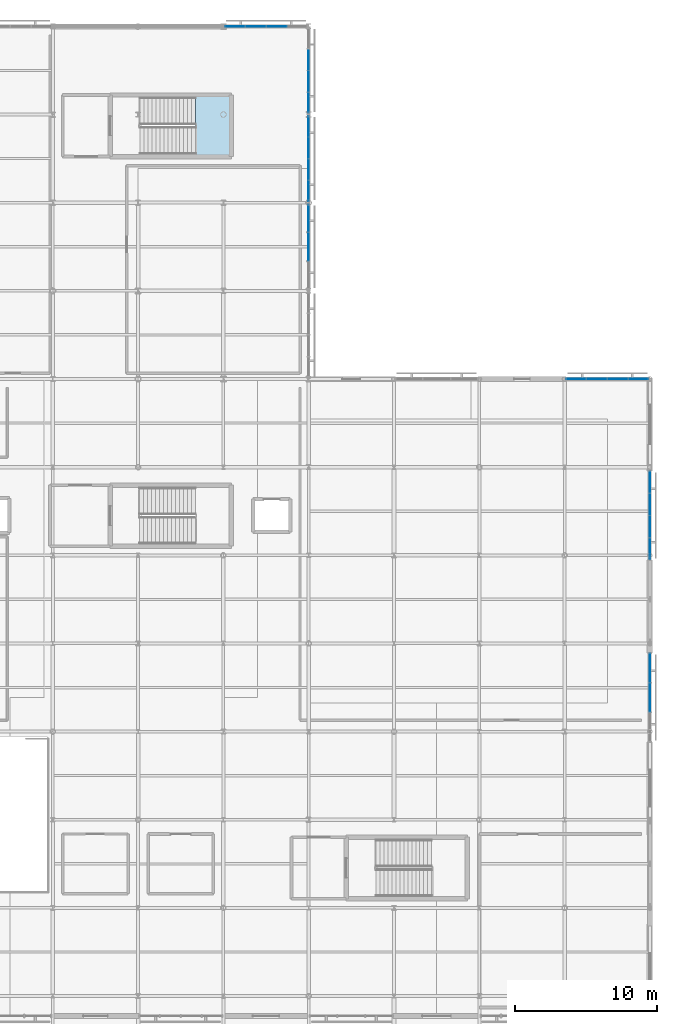
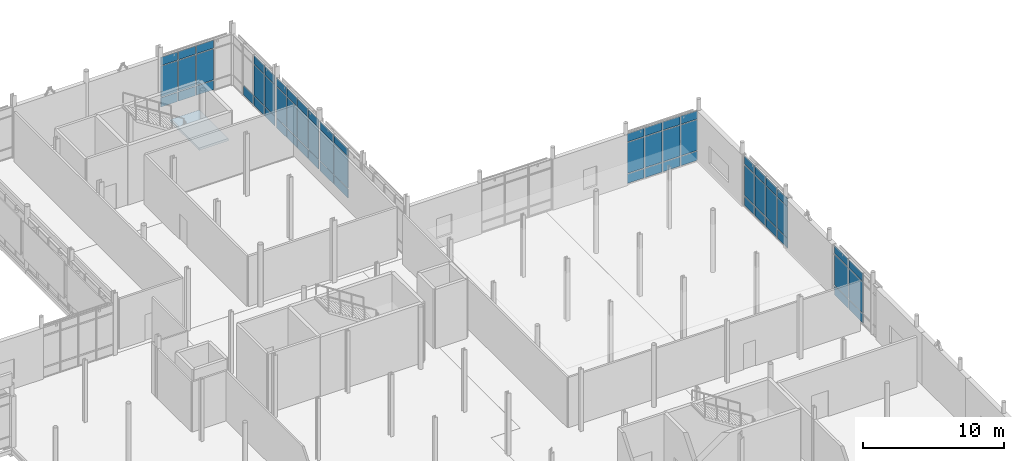
# One storey, part 64 of 105: 64 plates, 1 slab, 8 elements without a shape of their own.
"""IFC4 building model written with IfcOpenShell, lengths in metres."""

import ifcopenshell
import ifcopenshell.guid

model = None  # the IFC model being written
_history = None  # IfcOwnerHistory: only IFC2X3 demands one
_inside = {}  # id of a spatial element -> (the spatial element, [elements in it])
_under = {}  # id of a project, library or spatial element -> (it, [spatial elements below it])
_declared = {}  # id of a project -> (the project, [libraries it declares])
_typed = {}  # id of a type object -> (the type object, [elements of that type])
_made_of = {}  # id of a material, layer set ... -> (it, [elements and type objects made of it])


def new_model(schema):
    """Start an empty IFC model of exactly this schema.

    Asked for "IFC4X3", IfcOpenShell would pick the latest addendum, in which some entities
    have other attributes; the version numbers below select the first issue.
    IFC2X3 requires an IfcOwnerHistory on every rooted entity: one is made here for all.
    """
    global model, _history
    if schema == "IFC4X3":
        model = ifcopenshell.file(schema_version=(4, 3, 0, 0))
    else:
        model = ifcopenshell.file(schema=schema)
    _inside.clear()
    _under.clear()
    _declared.clear()
    _typed.clear()
    _made_of.clear()
    _history = None
    if model.schema == "IFC2X3":
        org = make("IfcOrganization", Name="unknown")
        user = make(
            "IfcPersonAndOrganization",
            ThePerson=make("IfcPerson", FamilyName="unknown"),
            TheOrganization=org,
        )
        app = make(
            "IfcApplication",
            ApplicationDeveloper=org,
            Version="unknown",
            ApplicationFullName="unknown",
            ApplicationIdentifier="unknown",
        )
        _history = make(
            "IfcOwnerHistory",
            OwningUser=user,
            OwningApplication=app,
            ChangeAction="ADDED",
            CreationDate=0,
        )
    return model


def make(cls, **values):
    """One entity of the class cls with the attributes given. An attribute that is None is left unset."""
    return model.create_entity(
        cls, **{name: value for name, value in values.items() if value is not None}
    )


def rooted(cls, **values):
    """An entity with a GlobalId (a new one), such as an element, a storey or a relation."""
    return make(cls, GlobalId=ifcopenshell.guid.new(), OwnerHistory=_history, **values)


def si_unit(unit_type, name, prefix=None):
    """IfcSIUnit, for example si_unit("LENGTHUNIT", "METRE", prefix="MILLI")."""
    return make("IfcSIUnit", UnitType=unit_type, Prefix=prefix, Name=name)


def assignment(units):
    """IfcUnitAssignment: the units of a project."""
    return None if units is None else make("IfcUnitAssignment", Units=units)


def point(xyz):
    """IfcCartesianPoint."""
    return None if xyz is None else make("IfcCartesianPoint", Coordinates=xyz)


def direction(xyz):
    """IfcDirection."""
    return None if xyz is None else make("IfcDirection", DirectionRatios=xyz)


def frame(location, z_axis=None, x_axis=None):
    """IfcAxis2Placement3D, a coordinate frame: its origin and axes. An axis left out is left unset."""
    return make(
        "IfcAxis2Placement3D",
        Location=point(location),
        Axis=direction(z_axis),
        RefDirection=direction(x_axis),
    )


def frame_2d(location, x_axis=None):
    """IfcAxis2Placement2D, a coordinate frame in the plane: its origin and x axis."""
    return make(
        "IfcAxis2Placement2D", Location=point(location), RefDirection=direction(x_axis)
    )


def origin():
    """The frame at (0, 0, 0) with its axes left unset."""
    return frame((0.0, 0.0, 0.0))


def origin_2d():
    """The frame at (0, 0) in the plane with its x axis left unset."""
    return frame_2d((0.0, 0.0))


def place(relative_to, where):
    """IfcLocalPlacement: puts the frame where relative to a parent placement (None: the world)."""
    return make(
        "IfcLocalPlacement", PlacementRelTo=relative_to, RelativePlacement=where
    )


def context(
    kind, dimensions, precision=None, world=None, true_north=None, identifier=None
):
    """IfcGeometricRepresentationContext, for example the 3D "Model" context."""
    return make(
        "IfcGeometricRepresentationContext",
        ContextIdentifier=identifier,
        ContextType=kind,
        CoordinateSpaceDimension=dimensions,
        Precision=precision,
        WorldCoordinateSystem=world,
        TrueNorth=true_north,
    )


def subcontext(parent, identifier, kind, view, scale=None):
    """IfcGeometricRepresentationSubContext, for example "Body" below "Model"."""
    return make(
        "IfcGeometricRepresentationSubContext",
        ContextIdentifier=identifier,
        ContextType=kind,
        ParentContext=parent,
        TargetScale=scale,
        TargetView=view,
    )


def project(units=None, contexts=None):
    """IfcProject with its units and contexts."""
    return rooted(
        "IfcProject",
        Name="project",
        RepresentationContexts=contexts,
        UnitsInContext=assignment(units),
    )


def spatial(cls, under=None, at=None, **own):
    """A site, building, storey or space (cls), placed at a placement, below another one or the project."""
    s = rooted(cls, ObjectPlacement=at, **own)
    if under is not None:
        _under.setdefault(under.id(), (under, []))[1].append(s)
    return s


def polyline(points):
    """IfcPolyline through the points."""
    return make("IfcPolyline", Points=[point(p) for p in points])


def profile(cls, at=None, kind="AREA", **sizes):
    """A parametric profile (cls). Its sizes go by their IFC names, for example OverallWidth=200.0."""
    return make(cls, ProfileType=kind, Position=at, **sizes)


def rectangle(**sizes):
    """IfcRectangleProfileDef."""
    return profile("IfcRectangleProfileDef", **sizes)


def outline(outer, holes=None, kind="AREA"):
    """IfcArbitraryClosedProfileDef: a profile drawn as a closed curve; with holes, ...WithVoids."""
    if holes is None:
        return make("IfcArbitraryClosedProfileDef", ProfileType=kind, OuterCurve=outer)
    return make(
        "IfcArbitraryProfileDefWithVoids",
        ProfileType=kind,
        OuterCurve=outer,
        InnerCurves=holes,
    )


def extrude(swept, where, along, depth):
    """IfcExtrudedAreaSolid: the profile swept, set in the frame where, extruded along a direction by depth."""
    return make(
        "IfcExtrudedAreaSolid",
        SweptArea=swept,
        Position=where,
        ExtrudedDirection=direction(along),
        Depth=depth,
    )


def shape(context_of_items, identifier, shape_type, items):
    """IfcShapeRepresentation: the items that make up one representation, for example the "Body"."""
    return make(
        "IfcShapeRepresentation",
        ContextOfItems=context_of_items,
        RepresentationIdentifier=identifier,
        RepresentationType=shape_type,
        Items=items,
    )


def material(Name=None, Category=None):
    """IfcMaterial."""
    return make("IfcMaterial", Name=Name, Category=Category)


def layer(
    of_material, thickness, ventilated=None, Name=None, Category=None, Priority=None
):
    """IfcMaterialLayer: one layer of a wall or slab, of a material (None: an air gap)."""
    return make(
        "IfcMaterialLayer",
        Material=of_material,
        LayerThickness=thickness,
        IsVentilated=ventilated,
        Name=Name,
        Category=Category,
        Priority=Priority,
    )


def layer_set(layers, Name=None):
    """IfcMaterialLayerSet."""
    return make("IfcMaterialLayerSet", MaterialLayers=layers, LayerSetName=Name)


def made_of(thing, what):
    """Note that an element or type object is made of a material, layer set ...; save() writes the relation."""
    if what is not None:
        _made_of.setdefault(what.id(), (what, []))[1].append(thing)
    return thing


def type_object(cls, material=None, **own):
    """A type object (cls), such as IfcWallType, which elements share."""
    return made_of(rooted(cls, **own), material)


def element(
    cls,
    number,
    at=None,
    inside=None,
    cuts=None,
    type_object=None,
    material=None,
    context=None,
    identifier="Body",
    shape_type=None,
    held_by="IfcProductDefinitionShape",
    body=None,
    shapes=None,
    **own,
):
    """One element of the class cls, such as IfcWall. Its Tag is "e" and its number.

    at: its placement. inside: the storey or other place that contains it. cuts: it is an
    opening in that element (IfcRelVoidsElement). A single representation is given by context,
    identifier, shape_type and body (its items); several are given by shapes. held_by: the class
    of the entity that holds the representations. save() writes the other relations.
    """
    e = rooted(cls, Tag="e%d" % number, ObjectPlacement=at, **own)
    if body is not None:
        shapes = [shape(context, identifier, shape_type, body)]
    if shapes is not None:
        e.Representation = make(held_by, Representations=shapes)
    if inside is not None:
        _inside.setdefault(inside.id(), (inside, []))[1].append(e)
    if cuts is not None:
        rooted(
            "IfcRelVoidsElement", RelatingBuildingElement=cuts, RelatedOpeningElement=e
        )
    if type_object is not None:
        _typed.setdefault(type_object.id(), (type_object, []))[1].append(e)
    return made_of(e, material)


def aggregate(whole, parts):
    """IfcRelAggregates: a whole, such as a stair, and the parts it consists of."""
    return rooted("IfcRelAggregates", RelatingObject=whole, RelatedObjects=parts)


def save(model, path):
    """Write the relations noted so far, then the file.

    IfcRelAggregates (storeys below a building ...), IfcRelContainedInSpatialStructure (elements
    in a storey), IfcRelDefinesByType, IfcRelAssociatesMaterial and IfcRelDeclares: one each for
    every whole, place, type object, material and project.
    """
    for whole, parts in _under.values():
        aggregate(whole, parts)
    for where, things in _inside.values():
        rooted(
            "IfcRelContainedInSpatialStructure",
            RelatedElements=things,
            RelatingStructure=where,
        )
    for kind, things in _typed.values():
        rooted("IfcRelDefinesByType", RelatedObjects=things, RelatingType=kind)
    for what, things in _made_of.values():
        rooted("IfcRelAssociatesMaterial", RelatedObjects=things, RelatingMaterial=what)
    for by, libraries in _declared.values():
        rooted("IfcRelDeclares", RelatingContext=by, RelatedDefinitions=libraries)
    model.write(path)


model = new_model("IFC4")

# Units and contexts
model_context = context("Model", 3, precision=1e-05, world=origin(), true_north=direction((0.0, 1.0)))
body_context = subcontext(model_context, "Body", "Model", "MODEL_VIEW")
ifc_project = project(units=[si_unit("LENGTHUNIT", "METRE"), si_unit("AREAUNIT", "SQUARE_METRE"), si_unit("VOLUMEUNIT", "CUBIC_METRE"), si_unit("PLANEANGLEUNIT", "RADIAN"), si_unit("MASSUNIT", "GRAM", prefix="KILO")], contexts=[model_context])

# Site, building, storey
site_placement = place(None, origin())
site = spatial("IfcSite", under=ifc_project, at=site_placement, CompositionType="ELEMENT")
building_placement = place(site_placement, origin())
building = spatial("IfcBuilding", under=site, at=building_placement, Name="Mirzam Square Science Centre", CompositionType="ELEMENT")
storey_placement = place(building_placement, frame((0.0, 0.0, 5.39990234375)))
storey = spatial("IfcBuildingStorey", under=building, at=storey_placement, Name="L01", CompositionType="ELEMENT", Elevation=5.39990234375)

# Curtain wall, plates
ifc_material_1 = material(Name="Anodised Aluminium and Low-E Solar Glass", Category="aluminium")
ifc_layer_1 = layer(ifc_material_1, 0.159912109375)
ifc_layer_set_1 = layer_set([ifc_layer_1], Name="CW-COURT-B")
curtain_wall_type_1 = type_object("IfcCurtainWallType", Name="CW-COURT-B", PredefinedType="USERDEFINED", material=ifc_layer_set_1)
curtain_wall_1_placement = place(storey_placement, origin())
curtain_wall_1 = element("IfcCurtainWall", 1, at=curtain_wall_1_placement, inside=storey, type_object=curtain_wall_type_1, Name="L01 unitised curtain wall 87", ObjectType="UNITISED CURTAIN WALL", PredefinedType="USERDEFINED")
ifc_material_2 = material(Name="Ceramic-Fritted Courtyard Solar Glass", Category="glass")
ifc_layer_2 = layer(ifc_material_2, 0.02392578125)
ifc_layer_set_2 = layer_set([ifc_layer_2], Name="CWP-GLZ-24")
plate_type_1 = type_object("IfcPlateType", Name="CWP-GLZ-24", PredefinedType="CURTAIN_PANEL", material=ifc_layer_set_2)
plate_1_placement = place(storey_placement, frame((161.19384765625, 86.800048828125, 0.06005859375), z_axis=(0.0, 0.0, 1.0), x_axis=(-1.0, 0.0, 0.0)))
plate_1 = element("IfcPlate", 2, at=plate_1_placement, type_object=plate_type_1, Name="CW-04 panel 1.1", PredefinedType="CURTAIN_PANEL", context=body_context, shape_type="SweptSolid", body=[
    extrude(rectangle(XDim=1.382568359375, YDim=0.02392578125, at=origin_2d()), origin(), (0.0, 0.0, 1.0), 0.81005859375),
])
plate_2_placement = place(storey_placement, frame((161.19384765625, 86.800048828125, 0.93017578125), z_axis=(0.0, 0.0, 1.0), x_axis=(-1.0, 0.0, 0.0)))
plate_2 = element("IfcPlate", 3, at=plate_2_placement, type_object=plate_type_1, Name="CW-04 panel 1.2", PredefinedType="CURTAIN_PANEL", context=body_context, shape_type="SweptSolid", body=[
    extrude(rectangle(XDim=1.382568359375, YDim=0.02392578125, at=origin_2d()), origin(), (0.0, 0.0, 1.0), 2.679931640625),
])
plate_3_placement = place(storey_placement, frame((161.19384765625, 86.800048828125, 3.670166015625), z_axis=(0.0, 0.0, 1.0), x_axis=(-1.0, 0.0, 0.0)))
plate_3 = element("IfcPlate", 4, at=plate_3_placement, type_object=plate_type_1, Name="CW-04 panel 1.3", PredefinedType="CURTAIN_PANEL", context=body_context, shape_type="SweptSolid", body=[
    extrude(rectangle(XDim=1.382568359375, YDim=0.02392578125, at=origin_2d()), origin(), (0.0, 0.0, 1.0), 0.7099609375),
])
plate_4_placement = place(storey_placement, frame((159.736328125, 86.800048828125, 0.06005859375), z_axis=(0.0, 0.0, 1.0), x_axis=(-1.0, 0.0, 0.0)))
plate_4 = element("IfcPlate", 5, at=plate_4_placement, type_object=plate_type_1, Name="CW-04 panel 2.1", PredefinedType="CURTAIN_PANEL", context=body_context, shape_type="SweptSolid", body=[
    extrude(rectangle(XDim=1.41259765625, YDim=0.02392578125, at=origin_2d()), origin(), (0.0, 0.0, 1.0), 0.81005859375),
])
plate_5_placement = place(storey_placement, frame((159.736328125, 86.800048828125, 0.93017578125), z_axis=(0.0, 0.0, 1.0), x_axis=(-1.0, 0.0, 0.0)))
plate_5 = element("IfcPlate", 6, at=plate_5_placement, type_object=plate_type_1, Name="CW-04 panel 2.2", PredefinedType="CURTAIN_PANEL", context=body_context, shape_type="SweptSolid", body=[
    extrude(rectangle(XDim=1.41259765625, YDim=0.02392578125, at=origin_2d()), origin(), (0.0, 0.0, 1.0), 2.679931640625),
])
plate_6_placement = place(storey_placement, frame((159.736328125, 86.800048828125, 3.670166015625), z_axis=(0.0, 0.0, 1.0), x_axis=(-1.0, 0.0, 0.0)))
plate_6 = element("IfcPlate", 7, at=plate_6_placement, type_object=plate_type_1, Name="CW-04 panel 2.3", PredefinedType="CURTAIN_PANEL", context=body_context, shape_type="SweptSolid", body=[
    extrude(rectangle(XDim=1.41259765625, YDim=0.02392578125, at=origin_2d()), origin(), (0.0, 0.0, 1.0), 0.7099609375),
])
plate_7_placement = place(storey_placement, frame((158.263671875, 86.800048828125, 0.06005859375), z_axis=(0.0, 0.0, 1.0), x_axis=(-1.0, 0.0, 0.0)))
plate_7 = element("IfcPlate", 8, at=plate_7_placement, type_object=plate_type_1, Name="CW-04 panel 3.1", PredefinedType="CURTAIN_PANEL", context=body_context, shape_type="SweptSolid", body=[
    extrude(rectangle(XDim=1.41259765625, YDim=0.02392578125, at=origin_2d()), origin(), (0.0, 0.0, 1.0), 0.81005859375),
])
plate_8_placement = place(storey_placement, frame((158.263671875, 86.800048828125, 0.93017578125), z_axis=(0.0, 0.0, 1.0), x_axis=(-1.0, 0.0, 0.0)))
plate_8 = element("IfcPlate", 9, at=plate_8_placement, type_object=plate_type_1, Name="CW-04 panel 3.2", PredefinedType="CURTAIN_PANEL", context=body_context, shape_type="SweptSolid", body=[
    extrude(rectangle(XDim=1.41259765625, YDim=0.02392578125, at=origin_2d()), origin(), (0.0, 0.0, 1.0), 2.679931640625),
])
plate_9_placement = place(storey_placement, frame((158.263671875, 86.800048828125, 3.670166015625), z_axis=(0.0, 0.0, 1.0), x_axis=(-1.0, 0.0, 0.0)))
plate_9 = element("IfcPlate", 10, at=plate_9_placement, type_object=plate_type_1, Name="CW-04 panel 3.3", PredefinedType="CURTAIN_PANEL", context=body_context, shape_type="SweptSolid", body=[
    extrude(rectangle(XDim=1.41259765625, YDim=0.02392578125, at=origin_2d()), origin(), (0.0, 0.0, 1.0), 0.7099609375),
])
plate_10_placement = place(storey_placement, frame((156.80615234375, 86.800048828125, 0.06005859375), z_axis=(0.0, 0.0, 1.0), x_axis=(-1.0, 0.0, 0.0)))
plate_10 = element("IfcPlate", 11, at=plate_10_placement, type_object=plate_type_1, Name="CW-04 panel 4.1", PredefinedType="CURTAIN_PANEL", context=body_context, shape_type="SweptSolid", body=[
    extrude(rectangle(XDim=1.382568359375, YDim=0.02392578125, at=origin_2d()), origin(), (0.0, 0.0, 1.0), 0.81005859375),
])
plate_11_placement = place(storey_placement, frame((156.80615234375, 86.800048828125, 0.93017578125), z_axis=(0.0, 0.0, 1.0), x_axis=(-1.0, 0.0, 0.0)))
plate_11 = element("IfcPlate", 12, at=plate_11_placement, type_object=plate_type_1, Name="CW-04 panel 4.2", PredefinedType="CURTAIN_PANEL", context=body_context, shape_type="SweptSolid", body=[
    extrude(rectangle(XDim=1.382568359375, YDim=0.02392578125, at=origin_2d()), origin(), (0.0, 0.0, 1.0), 2.679931640625),
])
plate_12_placement = place(storey_placement, frame((156.80615234375, 86.800048828125, 3.670166015625), z_axis=(0.0, 0.0, 1.0), x_axis=(-1.0, 0.0, 0.0)))
plate_12 = element("IfcPlate", 13, at=plate_12_placement, type_object=plate_type_1, Name="CW-04 panel 4.3", PredefinedType="CURTAIN_PANEL", context=body_context, shape_type="SweptSolid", body=[
    extrude(rectangle(XDim=1.382568359375, YDim=0.02392578125, at=origin_2d()), origin(), (0.0, 0.0, 1.0), 0.7099609375),
])
aggregate(curtain_wall_1, [plate_1, plate_2, plate_3, plate_4, plate_5, plate_6, plate_7, plate_8, plate_9, plate_10, plate_11, plate_12])

ifc_layer_3 = layer(ifc_material_1, 0.239990234375)
ifc_layer_set_3 = layer_set([ifc_layer_3], Name="CW-EAST-B")
curtain_wall_type_2 = type_object("IfcCurtainWallType", Name="CW-EAST-B", PredefinedType="USERDEFINED", material=ifc_layer_set_3)
curtain_wall_2_placement = place(storey_placement, origin())
curtain_wall_2 = element("IfcCurtainWall", 14, at=curtain_wall_2_placement, inside=storey, type_object=curtain_wall_type_2, Name="L01 unitised curtain wall 85", ObjectType="UNITISED CURTAIN WALL", PredefinedType="USERDEFINED")
ifc_material_3 = material(Name="Double-Silver Low-E Insulated Solar Glass", Category="glass")
ifc_layer_4 = layer(ifc_material_3, 0.028076171875)
ifc_layer_set_4 = layer_set([ifc_layer_4], Name="CWP-GLZ-28")
plate_type_2 = type_object("IfcPlateType", Name="CWP-GLZ-28", PredefinedType="CURTAIN_PANEL", material=ifc_layer_set_4)
plate_13_placement = place(storey_placement, frame((162.0, 64.39990234375, 0.074951171875), z_axis=(0.0, 0.0, 1.0), x_axis=(0.0, 1.0, 0.0)))
plate_13 = element("IfcPlate", 15, at=plate_13_placement, type_object=plate_type_2, Name="CW-06 panel 2.1", PredefinedType="CURTAIN_PANEL", context=body_context, shape_type="SweptSolid", body=[
    extrude(rectangle(XDim=2.021728515625, YDim=0.028076171875, at=origin_2d()), origin(), (0.0, 0.0, 1.0), 0.78759765625),
])
plate_14_placement = place(storey_placement, frame((162.0, 64.39990234375, 0.9375), z_axis=(0.0, 0.0, 1.0), x_axis=(0.0, 1.0, 0.0)))
plate_14 = element("IfcPlate", 16, at=plate_14_placement, type_object=plate_type_2, Name="CW-06 panel 2.2", PredefinedType="CURTAIN_PANEL", context=body_context, shape_type="SweptSolid", body=[
    extrude(rectangle(XDim=2.021728515625, YDim=0.028076171875, at=origin_2d()), origin(), (0.0, 0.0, 1.0), 2.6650390625),
])
plate_15_placement = place(storey_placement, frame((162.0, 64.39990234375, 3.677490234375), z_axis=(0.0, 0.0, 1.0), x_axis=(0.0, 1.0, 0.0)))
plate_15 = element("IfcPlate", 17, at=plate_15_placement, type_object=plate_type_2, Name="CW-06 panel 2.3", PredefinedType="CURTAIN_PANEL", context=body_context, shape_type="SweptSolid", body=[
    extrude(rectangle(XDim=2.021728515625, YDim=0.028076171875, at=origin_2d()), origin(), (0.0, 0.0, 1.0), 0.6875),
])
plate_16_placement = place(storey_placement, frame((162.0, 66.47802734375, 0.074951171875), z_axis=(0.0, 0.0, 1.0), x_axis=(0.0, 1.0, 0.0)))
plate_16 = element("IfcPlate", 18, at=plate_16_placement, type_object=plate_type_2, Name="CW-06 panel 3.1", PredefinedType="CURTAIN_PANEL", context=body_context, shape_type="SweptSolid", body=[
    extrude(rectangle(XDim=1.984130859375, YDim=0.028076171875, at=origin_2d()), origin(), (0.0, 0.0, 1.0), 0.78759765625),
])
plate_17_placement = place(storey_placement, frame((162.0, 66.47802734375, 0.9375), z_axis=(0.0, 0.0, 1.0), x_axis=(0.0, 1.0, 0.0)))
plate_17 = element("IfcPlate", 19, at=plate_17_placement, type_object=plate_type_2, Name="CW-06 panel 3.2", PredefinedType="CURTAIN_PANEL", context=body_context, shape_type="SweptSolid", body=[
    extrude(rectangle(XDim=1.984130859375, YDim=0.028076171875, at=origin_2d()), origin(), (0.0, 0.0, 1.0), 2.6650390625),
])
plate_18_placement = place(storey_placement, frame((162.0, 66.47802734375, 3.677490234375), z_axis=(0.0, 0.0, 1.0), x_axis=(0.0, 1.0, 0.0)))
plate_18 = element("IfcPlate", 20, at=plate_18_placement, type_object=plate_type_2, Name="CW-06 panel 3.3", PredefinedType="CURTAIN_PANEL", context=body_context, shape_type="SweptSolid", body=[
    extrude(rectangle(XDim=1.984130859375, YDim=0.028076171875, at=origin_2d()), origin(), (0.0, 0.0, 1.0), 0.6875),
])
aggregate(curtain_wall_2, [plate_13, plate_14, plate_15, plate_16, plate_17, plate_18])

curtain_wall_3_placement = place(storey_placement, origin())
curtain_wall_3 = element("IfcCurtainWall", 21, at=curtain_wall_3_placement, inside=storey, type_object=curtain_wall_type_2, Name="L01 unitised curtain wall 95", ObjectType="UNITISED CURTAIN WALL", PredefinedType="USERDEFINED")
plate_19_placement = place(storey_placement, frame((138.0, 96.10009765625, 0.074951171875), z_axis=(0.0, 0.0, 1.0), x_axis=(0.0, 1.0, 0.0)))
plate_19 = element("IfcPlate", 22, at=plate_19_placement, type_object=plate_type_2, Name="CW-06 panel 2.1", PredefinedType="CURTAIN_PANEL", context=body_context, shape_type="SweptSolid", body=[
    extrude(rectangle(XDim=1.955078125, YDim=0.028076171875, at=origin_2d()), origin(), (0.0, 0.0, 1.0), 0.78759765625),
])
plate_20_placement = place(storey_placement, frame((138.0, 96.10009765625, 0.9375), z_axis=(0.0, 0.0, 1.0), x_axis=(0.0, 1.0, 0.0)))
plate_20 = element("IfcPlate", 23, at=plate_20_placement, type_object=plate_type_2, Name="CW-06 panel 2.2", PredefinedType="CURTAIN_PANEL", context=body_context, shape_type="SweptSolid", body=[
    extrude(rectangle(XDim=1.955078125, YDim=0.028076171875, at=origin_2d()), origin(), (0.0, 0.0, 1.0), 2.6650390625),
])
plate_21_placement = place(storey_placement, frame((138.0, 96.10009765625, 3.677490234375), z_axis=(0.0, 0.0, 1.0), x_axis=(0.0, 1.0, 0.0)))
plate_21 = element("IfcPlate", 24, at=plate_21_placement, type_object=plate_type_2, Name="CW-06 panel 2.3", PredefinedType="CURTAIN_PANEL", context=body_context, shape_type="SweptSolid", body=[
    extrude(rectangle(XDim=1.955078125, YDim=0.028076171875, at=origin_2d()), origin(), (0.0, 0.0, 1.0), 0.6875),
])
plate_22_placement = place(storey_placement, frame((138.0, 98.111328125, 0.074951171875), z_axis=(0.0, 0.0, 1.0), x_axis=(0.0, 1.0, 0.0)))
plate_22 = element("IfcPlate", 25, at=plate_22_placement, type_object=plate_type_2, Name="CW-06 panel 3.1", PredefinedType="CURTAIN_PANEL", context=body_context, shape_type="SweptSolid", body=[
    extrude(rectangle(XDim=1.91748046875, YDim=0.028076171875, at=origin_2d()), origin(), (0.0, 0.0, 1.0), 0.78759765625),
])
plate_23_placement = place(storey_placement, frame((138.0, 98.111328125, 0.9375), z_axis=(0.0, 0.0, 1.0), x_axis=(0.0, 1.0, 0.0)))
plate_23 = element("IfcPlate", 26, at=plate_23_placement, type_object=plate_type_2, Name="CW-06 panel 3.2", PredefinedType="CURTAIN_PANEL", context=body_context, shape_type="SweptSolid", body=[
    extrude(rectangle(XDim=1.91748046875, YDim=0.028076171875, at=origin_2d()), origin(), (0.0, 0.0, 1.0), 2.6650390625),
])
plate_24_placement = place(storey_placement, frame((138.0, 98.111328125, 3.677490234375), z_axis=(0.0, 0.0, 1.0), x_axis=(0.0, 1.0, 0.0)))
plate_24 = element("IfcPlate", 27, at=plate_24_placement, type_object=plate_type_2, Name="CW-06 panel 3.3", PredefinedType="CURTAIN_PANEL", context=body_context, shape_type="SweptSolid", body=[
    extrude(rectangle(XDim=1.91748046875, YDim=0.028076171875, at=origin_2d()), origin(), (0.0, 0.0, 1.0), 0.6875),
])
aggregate(curtain_wall_3, [plate_19, plate_20, plate_21, plate_22, plate_23, plate_24])

ifc_layer_5 = layer(ifc_material_1, 0.219970703125)
ifc_layer_set_5 = layer_set([ifc_layer_5], Name="CW-OBS-A")
curtain_wall_type_3 = type_object("IfcCurtainWallType", Name="CW-OBS-A", PredefinedType="USERDEFINED", material=ifc_layer_set_5)
curtain_wall_4_placement = place(storey_placement, origin())
curtain_wall_4 = element("IfcCurtainWall", 28, at=curtain_wall_4_placement, inside=storey, type_object=curtain_wall_type_3, Name="L01 unitised curtain wall 97", ObjectType="UNITISED CURTAIN WALL", PredefinedType="USERDEFINED")
ifc_material_4 = material(Name="Triple-Glazed Acoustic Low-E Solar Glass", Category="glass")
ifc_layer_6 = layer(ifc_material_4, 0.031982421875)
ifc_layer_set_6 = layer_set([ifc_layer_6], Name="CWP-GLZ-32")
plate_type_3 = type_object("IfcPlateType", Name="CWP-GLZ-32", PredefinedType="CURTAIN_PANEL", material=ifc_layer_set_6)
plate_25_placement = place(storey_placement, frame((138.0, 100.03125, 0.06005859375), z_axis=(0.0, 0.0, 1.0), x_axis=(0.0, 1.0, 0.0)))
plate_25 = element("IfcPlate", 29, at=plate_25_placement, type_object=plate_type_3, Name="CW-07 panel 1.1", PredefinedType="CURTAIN_PANEL", context=body_context, shape_type="SweptSolid", body=[
    extrude(rectangle(XDim=1.4326171875, YDim=0.031982421875, at=origin_2d()), origin(), (0.0, 0.0, 1.0), 0.81005859375),
])
plate_26_placement = place(storey_placement, frame((138.0, 100.03125, 0.93017578125), z_axis=(0.0, 0.0, 1.0), x_axis=(0.0, 1.0, 0.0)))
plate_26 = element("IfcPlate", 30, at=plate_26_placement, type_object=plate_type_3, Name="CW-07 panel 1.2", PredefinedType="CURTAIN_PANEL", context=body_context, shape_type="SweptSolid", body=[
    extrude(rectangle(XDim=1.4326171875, YDim=0.031982421875, at=origin_2d()), origin(), (0.0, 0.0, 1.0), 2.679931640625),
])
plate_27_placement = place(storey_placement, frame((138.0, 100.03125, 3.670166015625), z_axis=(0.0, 0.0, 1.0), x_axis=(0.0, 1.0, 0.0)))
plate_27 = element("IfcPlate", 31, at=plate_27_placement, type_object=plate_type_3, Name="CW-07 panel 1.3", PredefinedType="CURTAIN_PANEL", context=body_context, shape_type="SweptSolid", body=[
    extrude(rectangle(XDim=1.4326171875, YDim=0.031982421875, at=origin_2d()), origin(), (0.0, 0.0, 1.0), 0.7099609375),
])
plate_28_placement = place(storey_placement, frame((138.0, 101.538818359375, 0.06005859375), z_axis=(0.0, 0.0, 1.0), x_axis=(0.0, 1.0, 0.0)))
plate_28 = element("IfcPlate", 32, at=plate_28_placement, type_object=plate_type_3, Name="CW-07 panel 2.1", PredefinedType="CURTAIN_PANEL", context=body_context, shape_type="SweptSolid", body=[
    extrude(rectangle(XDim=1.46240234375, YDim=0.031982421875, at=origin_2d()), origin(), (0.0, 0.0, 1.0), 0.81005859375),
])
plate_29_placement = place(storey_placement, frame((138.0, 101.538818359375, 0.93017578125), z_axis=(0.0, 0.0, 1.0), x_axis=(0.0, 1.0, 0.0)))
plate_29 = element("IfcPlate", 33, at=plate_29_placement, type_object=plate_type_3, Name="CW-07 panel 2.2", PredefinedType="CURTAIN_PANEL", context=body_context, shape_type="SweptSolid", body=[
    extrude(rectangle(XDim=1.46240234375, YDim=0.031982421875, at=origin_2d()), origin(), (0.0, 0.0, 1.0), 2.679931640625),
])
plate_30_placement = place(storey_placement, frame((138.0, 101.538818359375, 3.670166015625), z_axis=(0.0, 0.0, 1.0), x_axis=(0.0, 1.0, 0.0)))
plate_30 = element("IfcPlate", 34, at=plate_30_placement, type_object=plate_type_3, Name="CW-07 panel 2.3", PredefinedType="CURTAIN_PANEL", context=body_context, shape_type="SweptSolid", body=[
    extrude(rectangle(XDim=1.46240234375, YDim=0.031982421875, at=origin_2d()), origin(), (0.0, 0.0, 1.0), 0.7099609375),
])
plate_31_placement = place(storey_placement, frame((138.0, 103.061279296875, 0.06005859375), z_axis=(0.0, 0.0, 1.0), x_axis=(0.0, 1.0, 0.0)))
plate_31 = element("IfcPlate", 35, at=plate_31_placement, type_object=plate_type_3, Name="CW-07 panel 3.1", PredefinedType="CURTAIN_PANEL", context=body_context, shape_type="SweptSolid", body=[
    extrude(rectangle(XDim=1.46240234375, YDim=0.031982421875, at=origin_2d()), origin(), (0.0, 0.0, 1.0), 0.81005859375),
])
plate_32_placement = place(storey_placement, frame((138.0, 103.061279296875, 0.93017578125), z_axis=(0.0, 0.0, 1.0), x_axis=(0.0, 1.0, 0.0)))
plate_32 = element("IfcPlate", 36, at=plate_32_placement, type_object=plate_type_3, Name="CW-07 panel 3.2", PredefinedType="CURTAIN_PANEL", context=body_context, shape_type="SweptSolid", body=[
    extrude(rectangle(XDim=1.46240234375, YDim=0.031982421875, at=origin_2d()), origin(), (0.0, 0.0, 1.0), 2.679931640625),
])
plate_33_placement = place(storey_placement, frame((138.0, 103.061279296875, 3.670166015625), z_axis=(0.0, 0.0, 1.0), x_axis=(0.0, 1.0, 0.0)))
plate_33 = element("IfcPlate", 37, at=plate_33_placement, type_object=plate_type_3, Name="CW-07 panel 3.3", PredefinedType="CURTAIN_PANEL", context=body_context, shape_type="SweptSolid", body=[
    extrude(rectangle(XDim=1.46240234375, YDim=0.031982421875, at=origin_2d()), origin(), (0.0, 0.0, 1.0), 0.7099609375),
])
plate_34_placement = place(storey_placement, frame((138.0, 104.56884765625, 0.06005859375), z_axis=(0.0, 0.0, 1.0), x_axis=(0.0, 1.0, 0.0)))
plate_34 = element("IfcPlate", 38, at=plate_34_placement, type_object=plate_type_3, Name="CW-07 panel 4.1", PredefinedType="CURTAIN_PANEL", context=body_context, shape_type="SweptSolid", body=[
    extrude(rectangle(XDim=1.4326171875, YDim=0.031982421875, at=origin_2d()), origin(), (0.0, 0.0, 1.0), 0.81005859375),
])
plate_35_placement = place(storey_placement, frame((138.0, 104.56884765625, 0.93017578125), z_axis=(0.0, 0.0, 1.0), x_axis=(0.0, 1.0, 0.0)))
plate_35 = element("IfcPlate", 39, at=plate_35_placement, type_object=plate_type_3, Name="CW-07 panel 4.2", PredefinedType="CURTAIN_PANEL", context=body_context, shape_type="SweptSolid", body=[
    extrude(rectangle(XDim=1.4326171875, YDim=0.031982421875, at=origin_2d()), origin(), (0.0, 0.0, 1.0), 2.679931640625),
])
plate_36_placement = place(storey_placement, frame((138.0, 104.56884765625, 3.670166015625), z_axis=(0.0, 0.0, 1.0), x_axis=(0.0, 1.0, 0.0)))
plate_36 = element("IfcPlate", 40, at=plate_36_placement, type_object=plate_type_3, Name="CW-07 panel 4.3", PredefinedType="CURTAIN_PANEL", context=body_context, shape_type="SweptSolid", body=[
    extrude(rectangle(XDim=1.4326171875, YDim=0.031982421875, at=origin_2d()), origin(), (0.0, 0.0, 1.0), 0.7099609375),
])
aggregate(curtain_wall_4, [plate_25, plate_26, plate_27, plate_28, plate_29, plate_30, plate_31, plate_32, plate_33, plate_34, plate_35, plate_36])

ifc_layer_7 = layer(ifc_material_1, 0.179931640625)
ifc_layer_set_7 = layer_set([ifc_layer_7], Name="CW-LINK-A")
curtain_wall_type_4 = type_object("IfcCurtainWallType", Name="CW-LINK-A", PredefinedType="USERDEFINED", material=ifc_layer_set_7)
curtain_wall_5_placement = place(storey_placement, origin())
curtain_wall_5 = element("IfcCurtainWall", 41, at=curtain_wall_5_placement, inside=storey, type_object=curtain_wall_type_4, Name="L01 unitised curtain wall 86", ObjectType="UNITISED CURTAIN WALL", PredefinedType="USERDEFINED")
ifc_material_5 = material(Name="Laminated Low-Iron Observatory Solar Glass", Category="glass")
ifc_layer_8 = layer(ifc_material_5, 0.035888671875)
ifc_layer_set_8 = layer_set([ifc_layer_8], Name="CWP-GLZ-36")
plate_type_4 = type_object("IfcPlateType", Name="CWP-GLZ-36", PredefinedType="CURTAIN_PANEL", material=ifc_layer_set_8)
plate_37_placement = place(storey_placement, frame((162.0, 74.857421875, 0.06494140625), z_axis=(0.0, 0.0, 1.0), x_axis=(0.0, 1.0, 0.0)))
plate_37 = element("IfcPlate", 42, at=plate_37_placement, type_object=plate_type_4, Name="CW-08 panel 1.1", PredefinedType="CURTAIN_PANEL", context=body_context, shape_type="SweptSolid", body=[
    extrude(rectangle(XDim=1.47509765625, YDim=0.035888671875, at=origin_2d()), origin(), (0.0, 0.0, 1.0), 0.802490234375),
])
plate_38_placement = place(storey_placement, frame((162.0, 74.857421875, 0.9326171875), z_axis=(0.0, 0.0, 1.0), x_axis=(0.0, 1.0, 0.0)))
plate_38 = element("IfcPlate", 43, at=plate_38_placement, type_object=plate_type_4, Name="CW-08 panel 1.2", PredefinedType="CURTAIN_PANEL", context=body_context, shape_type="SweptSolid", body=[
    extrude(rectangle(XDim=1.47509765625, YDim=0.035888671875, at=origin_2d()), origin(), (0.0, 0.0, 1.0), 2.675048828125),
])
plate_39_placement = place(storey_placement, frame((162.0, 74.857421875, 3.6728515625), z_axis=(0.0, 0.0, 1.0), x_axis=(0.0, 1.0, 0.0)))
plate_39 = element("IfcPlate", 44, at=plate_39_placement, type_object=plate_type_4, Name="CW-08 panel 1.3", PredefinedType="CURTAIN_PANEL", context=body_context, shape_type="SweptSolid", body=[
    extrude(rectangle(XDim=1.47509765625, YDim=0.035888671875, at=origin_2d()), origin(), (0.0, 0.0, 1.0), 0.702392578125),
])
plate_40_placement = place(storey_placement, frame((162.0, 76.413818359375, 0.06494140625), z_axis=(0.0, 0.0, 1.0), x_axis=(0.0, 1.0, 0.0)))
plate_40 = element("IfcPlate", 45, at=plate_40_placement, type_object=plate_type_4, Name="CW-08 panel 2.1", PredefinedType="CURTAIN_PANEL", context=body_context, shape_type="SweptSolid", body=[
    extrude(rectangle(XDim=1.507568359375, YDim=0.035888671875, at=origin_2d()), origin(), (0.0, 0.0, 1.0), 0.802490234375),
])
plate_41_placement = place(storey_placement, frame((162.0, 76.413818359375, 0.9326171875), z_axis=(0.0, 0.0, 1.0), x_axis=(0.0, 1.0, 0.0)))
plate_41 = element("IfcPlate", 46, at=plate_41_placement, type_object=plate_type_4, Name="CW-08 panel 2.2", PredefinedType="CURTAIN_PANEL", context=body_context, shape_type="SweptSolid", body=[
    extrude(rectangle(XDim=1.507568359375, YDim=0.035888671875, at=origin_2d()), origin(), (0.0, 0.0, 1.0), 2.675048828125),
])
plate_42_placement = place(storey_placement, frame((162.0, 76.413818359375, 3.6728515625), z_axis=(0.0, 0.0, 1.0), x_axis=(0.0, 1.0, 0.0)))
plate_42 = element("IfcPlate", 47, at=plate_42_placement, type_object=plate_type_4, Name="CW-08 panel 2.3", PredefinedType="CURTAIN_PANEL", context=body_context, shape_type="SweptSolid", body=[
    extrude(rectangle(XDim=1.507568359375, YDim=0.035888671875, at=origin_2d()), origin(), (0.0, 0.0, 1.0), 0.702392578125),
])
plate_43_placement = place(storey_placement, frame((162.0, 77.986328125, 0.06494140625), z_axis=(0.0, 0.0, 1.0), x_axis=(0.0, 1.0, 0.0)))
plate_43 = element("IfcPlate", 48, at=plate_43_placement, type_object=plate_type_4, Name="CW-08 panel 3.1", PredefinedType="CURTAIN_PANEL", context=body_context, shape_type="SweptSolid", body=[
    extrude(rectangle(XDim=1.507568359375, YDim=0.035888671875, at=origin_2d()), origin(), (0.0, 0.0, 1.0), 0.802490234375),
])
plate_44_placement = place(storey_placement, frame((162.0, 77.986328125, 0.9326171875), z_axis=(0.0, 0.0, 1.0), x_axis=(0.0, 1.0, 0.0)))
plate_44 = element("IfcPlate", 49, at=plate_44_placement, type_object=plate_type_4, Name="CW-08 panel 3.2", PredefinedType="CURTAIN_PANEL", context=body_context, shape_type="SweptSolid", body=[
    extrude(rectangle(XDim=1.507568359375, YDim=0.035888671875, at=origin_2d()), origin(), (0.0, 0.0, 1.0), 2.675048828125),
])
plate_45_placement = place(storey_placement, frame((162.0, 77.986328125, 3.6728515625), z_axis=(0.0, 0.0, 1.0), x_axis=(0.0, 1.0, 0.0)))
plate_45 = element("IfcPlate", 50, at=plate_45_placement, type_object=plate_type_4, Name="CW-08 panel 3.3", PredefinedType="CURTAIN_PANEL", context=body_context, shape_type="SweptSolid", body=[
    extrude(rectangle(XDim=1.507568359375, YDim=0.035888671875, at=origin_2d()), origin(), (0.0, 0.0, 1.0), 0.702392578125),
])
plate_46_placement = place(storey_placement, frame((162.0, 79.54248046875, 0.06494140625), z_axis=(0.0, 0.0, 1.0), x_axis=(0.0, 1.0, 0.0)))
plate_46 = element("IfcPlate", 51, at=plate_46_placement, type_object=plate_type_4, Name="CW-08 panel 4.1", PredefinedType="CURTAIN_PANEL", context=body_context, shape_type="SweptSolid", body=[
    extrude(rectangle(XDim=1.47509765625, YDim=0.035888671875, at=origin_2d()), origin(), (0.0, 0.0, 1.0), 0.802490234375),
])
plate_47_placement = place(storey_placement, frame((162.0, 79.54248046875, 0.9326171875), z_axis=(0.0, 0.0, 1.0), x_axis=(0.0, 1.0, 0.0)))
plate_47 = element("IfcPlate", 52, at=plate_47_placement, type_object=plate_type_4, Name="CW-08 panel 4.2", PredefinedType="CURTAIN_PANEL", context=body_context, shape_type="SweptSolid", body=[
    extrude(rectangle(XDim=1.47509765625, YDim=0.035888671875, at=origin_2d()), origin(), (0.0, 0.0, 1.0), 2.675048828125),
])
plate_48_placement = place(storey_placement, frame((162.0, 79.54248046875, 3.6728515625), z_axis=(0.0, 0.0, 1.0), x_axis=(0.0, 1.0, 0.0)))
plate_48 = element("IfcPlate", 53, at=plate_48_placement, type_object=plate_type_4, Name="CW-08 panel 4.3", PredefinedType="CURTAIN_PANEL", context=body_context, shape_type="SweptSolid", body=[
    extrude(rectangle(XDim=1.47509765625, YDim=0.035888671875, at=origin_2d()), origin(), (0.0, 0.0, 1.0), 0.702392578125),
])
aggregate(curtain_wall_5, [plate_37, plate_38, plate_39, plate_40, plate_41, plate_42, plate_43, plate_44, plate_45, plate_46, plate_47, plate_48])

curtain_wall_6_placement = place(storey_placement, origin())
curtain_wall_6 = element("IfcCurtainWall", 54, at=curtain_wall_6_placement, inside=storey, type_object=curtain_wall_type_3, Name="L01 unitised curtain wall 91", ObjectType="UNITISED CURTAIN WALL", PredefinedType="USERDEFINED")
plate_49_placement = place(storey_placement, frame((135.736328125, 111.60009765625, 0.06494140625), z_axis=(0.0, 0.0, 1.0), x_axis=(-1.0, 0.0, 0.0)))
plate_49 = element("IfcPlate", 55, at=plate_49_placement, type_object=plate_type_4, Name="CW-07 panel 2.1", PredefinedType="CURTAIN_PANEL", context=body_context, shape_type="SweptSolid", body=[
    extrude(rectangle(XDim=1.407470703125, YDim=0.035888671875, at=origin_2d()), origin(), (0.0, 0.0, 1.0), 0.802490234375),
])
plate_50_placement = place(storey_placement, frame((135.736328125, 111.60009765625, 0.9326171875), z_axis=(0.0, 0.0, 1.0), x_axis=(-1.0, 0.0, 0.0)))
plate_50 = element("IfcPlate", 56, at=plate_50_placement, type_object=plate_type_4, Name="CW-07 panel 2.2", PredefinedType="CURTAIN_PANEL", context=body_context, shape_type="SweptSolid", body=[
    extrude(rectangle(XDim=1.407470703125, YDim=0.035888671875, at=origin_2d()), origin(), (0.0, 0.0, 1.0), 2.675048828125),
])
plate_51_placement = place(storey_placement, frame((135.736328125, 111.60009765625, 3.6728515625), z_axis=(0.0, 0.0, 1.0), x_axis=(-1.0, 0.0, 0.0)))
plate_51 = element("IfcPlate", 57, at=plate_51_placement, type_object=plate_type_4, Name="CW-07 panel 2.3", PredefinedType="CURTAIN_PANEL", context=body_context, shape_type="SweptSolid", body=[
    extrude(rectangle(XDim=1.407470703125, YDim=0.035888671875, at=origin_2d()), origin(), (0.0, 0.0, 1.0), 0.702392578125),
])
plate_52_placement = place(storey_placement, frame((134.263671875, 111.60009765625, 0.06494140625), z_axis=(0.0, 0.0, 1.0), x_axis=(-1.0, 0.0, 0.0)))
plate_52 = element("IfcPlate", 58, at=plate_52_placement, type_object=plate_type_4, Name="CW-07 panel 3.1", PredefinedType="CURTAIN_PANEL", context=body_context, shape_type="SweptSolid", body=[
    extrude(rectangle(XDim=1.407470703125, YDim=0.035888671875, at=origin_2d()), origin(), (0.0, 0.0, 1.0), 0.802490234375),
])
plate_53_placement = place(storey_placement, frame((134.263671875, 111.60009765625, 0.9326171875), z_axis=(0.0, 0.0, 1.0), x_axis=(-1.0, 0.0, 0.0)))
plate_53 = element("IfcPlate", 59, at=plate_53_placement, type_object=plate_type_4, Name="CW-07 panel 3.2", PredefinedType="CURTAIN_PANEL", context=body_context, shape_type="SweptSolid", body=[
    extrude(rectangle(XDim=1.407470703125, YDim=0.035888671875, at=origin_2d()), origin(), (0.0, 0.0, 1.0), 2.675048828125),
])
plate_54_placement = place(storey_placement, frame((134.263671875, 111.60009765625, 3.6728515625), z_axis=(0.0, 0.0, 1.0), x_axis=(-1.0, 0.0, 0.0)))
plate_54 = element("IfcPlate", 60, at=plate_54_placement, type_object=plate_type_4, Name="CW-07 panel 3.3", PredefinedType="CURTAIN_PANEL", context=body_context, shape_type="SweptSolid", body=[
    extrude(rectangle(XDim=1.407470703125, YDim=0.035888671875, at=origin_2d()), origin(), (0.0, 0.0, 1.0), 0.702392578125),
])
plate_55_placement = place(storey_placement, frame((132.8076171875, 111.60009765625, 0.06494140625), z_axis=(0.0, 0.0, 1.0), x_axis=(-1.0, 0.0, 0.0)))
plate_55 = element("IfcPlate", 61, at=plate_55_placement, type_object=plate_type_4, Name="CW-07 panel 4.1", PredefinedType="CURTAIN_PANEL", context=body_context, shape_type="SweptSolid", body=[
    extrude(rectangle(XDim=1.375, YDim=0.035888671875, at=origin_2d()), origin(), (0.0, 0.0, 1.0), 0.802490234375),
])
plate_56_placement = place(storey_placement, frame((132.8076171875, 111.60009765625, 0.9326171875), z_axis=(0.0, 0.0, 1.0), x_axis=(-1.0, 0.0, 0.0)))
plate_56 = element("IfcPlate", 62, at=plate_56_placement, type_object=plate_type_4, Name="CW-07 panel 4.2", PredefinedType="CURTAIN_PANEL", context=body_context, shape_type="SweptSolid", body=[
    extrude(rectangle(XDim=1.375, YDim=0.035888671875, at=origin_2d()), origin(), (0.0, 0.0, 1.0), 2.675048828125),
])
plate_57_placement = place(storey_placement, frame((132.8076171875, 111.60009765625, 3.6728515625), z_axis=(0.0, 0.0, 1.0), x_axis=(-1.0, 0.0, 0.0)))
plate_57 = element("IfcPlate", 63, at=plate_57_placement, type_object=plate_type_4, Name="CW-07 panel 4.3", PredefinedType="CURTAIN_PANEL", context=body_context, shape_type="SweptSolid", body=[
    extrude(rectangle(XDim=1.375, YDim=0.035888671875, at=origin_2d()), origin(), (0.0, 0.0, 1.0), 0.702392578125),
])
aggregate(curtain_wall_6, [plate_49, plate_50, plate_51, plate_52, plate_53, plate_54, plate_55, plate_56, plate_57])

curtain_wall_7_placement = place(storey_placement, origin())
curtain_wall_7 = element("IfcCurtainWall", 64, at=curtain_wall_7_placement, inside=storey, type_object=curtain_wall_type_4, Name="L01 unitised curtain wall 99", ObjectType="UNITISED CURTAIN WALL", PredefinedType="USERDEFINED")
plate_58_placement = place(storey_placement, frame((138.0, 106.232421875, 0.06494140625), z_axis=(0.0, 0.0, 1.0), x_axis=(0.0, 1.0, 0.0)))
plate_58 = element("IfcPlate", 65, at=plate_58_placement, type_object=plate_type_4, Name="CW-08 panel 1.1", PredefinedType="CURTAIN_PANEL", context=body_context, shape_type="SweptSolid", body=[
    extrude(rectangle(XDim=1.425048828125, YDim=0.035888671875, at=origin_2d()), origin(), (0.0, 0.0, 1.0), 0.802490234375),
])
plate_59_placement = place(storey_placement, frame((138.0, 106.232421875, 0.9326171875), z_axis=(0.0, 0.0, 1.0), x_axis=(0.0, 1.0, 0.0)))
plate_59 = element("IfcPlate", 66, at=plate_59_placement, type_object=plate_type_4, Name="CW-08 panel 1.2", PredefinedType="CURTAIN_PANEL", context=body_context, shape_type="SweptSolid", body=[
    extrude(rectangle(XDim=1.425048828125, YDim=0.035888671875, at=origin_2d()), origin(), (0.0, 0.0, 1.0), 2.675048828125),
])
plate_60_placement = place(storey_placement, frame((138.0, 106.232421875, 3.6728515625), z_axis=(0.0, 0.0, 1.0), x_axis=(0.0, 1.0, 0.0)))
plate_60 = element("IfcPlate", 67, at=plate_60_placement, type_object=plate_type_4, Name="CW-08 panel 1.3", PredefinedType="CURTAIN_PANEL", context=body_context, shape_type="SweptSolid", body=[
    extrude(rectangle(XDim=1.425048828125, YDim=0.035888671875, at=origin_2d()), origin(), (0.0, 0.0, 1.0), 0.702392578125),
])
plate_61_placement = place(storey_placement, frame((138.0, 107.73876953125, 0.06494140625), z_axis=(0.0, 0.0, 1.0), x_axis=(0.0, 1.0, 0.0)))
plate_61 = element("IfcPlate", 68, at=plate_61_placement, type_object=plate_type_4, Name="CW-08 panel 2.1", PredefinedType="CURTAIN_PANEL", context=body_context, shape_type="SweptSolid", body=[
    extrude(rectangle(XDim=1.45751953125, YDim=0.035888671875, at=origin_2d()), origin(), (0.0, 0.0, 1.0), 0.802490234375),
])
plate_62_placement = place(storey_placement, frame((138.0, 107.73876953125, 0.9326171875), z_axis=(0.0, 0.0, 1.0), x_axis=(0.0, 1.0, 0.0)))
plate_62 = element("IfcPlate", 69, at=plate_62_placement, type_object=plate_type_4, Name="CW-08 panel 2.2", PredefinedType="CURTAIN_PANEL", context=body_context, shape_type="SweptSolid", body=[
    extrude(rectangle(XDim=1.45751953125, YDim=0.035888671875, at=origin_2d()), origin(), (0.0, 0.0, 1.0), 2.675048828125),
])
plate_63_placement = place(storey_placement, frame((138.0, 107.73876953125, 3.6728515625), z_axis=(0.0, 0.0, 1.0), x_axis=(0.0, 1.0, 0.0)))
plate_63 = element("IfcPlate", 70, at=plate_63_placement, type_object=plate_type_4, Name="CW-08 panel 2.3", PredefinedType="CURTAIN_PANEL", context=body_context, shape_type="SweptSolid", body=[
    extrude(rectangle(XDim=1.45751953125, YDim=0.035888671875, at=origin_2d()), origin(), (0.0, 0.0, 1.0), 0.702392578125),
])
plate_64_placement = place(storey_placement, frame((138.0, 109.26123046875, 0.06494140625), z_axis=(0.0, 0.0, 1.0), x_axis=(0.0, 1.0, 0.0)))
plate_64 = element("IfcPlate", 71, at=plate_64_placement, type_object=plate_type_4, Name="CW-08 panel 3.1", PredefinedType="CURTAIN_PANEL", context=body_context, shape_type="SweptSolid", body=[
    extrude(rectangle(XDim=1.45751953125, YDim=0.035888671875, at=origin_2d()), origin(), (0.0, 0.0, 1.0), 0.802490234375),
])
aggregate(curtain_wall_7, [plate_58, plate_59, plate_60, plate_61, plate_62, plate_63, plate_64])

# Stair, slab
ifc_material_6 = material(Name="Concrete C40/50", Category="concrete")
stair_type = type_object("IfcStairType", Name="ST-CORE-7-540", PredefinedType="HALF_TURN_STAIR", material=ifc_material_6)
stair_placement = place(storey_placement, origin())
stair = element("IfcStair", 72, at=stair_placement, inside=storey, type_object=stair_type, Name="L01 ST-11", PredefinedType="HALF_TURN_STAIR")
ifc_layer_9 = layer(ifc_material_6, 0.199951171875)
ifc_layer_set_9 = layer_set([ifc_layer_9], Name="SL-LANDING-200")
slab_type = type_object("IfcSlabType", Name="SL-LANDING-200", PredefinedType="LANDING", material=ifc_layer_set_9)
slab_placement = place(storey_placement, frame((0.0, 0.0, 2.5)))
slab = element("IfcSlab", 73, at=slab_placement, type_object=slab_type, Name="ST-11 landing 1", PredefinedType="LANDING", context=body_context, shape_type="SweptSolid", body=[
    extrude(outline(polyline([(130.050048828125, 102.550048828125), (132.449951171875, 102.550048828125), (132.449951171875, 106.659912109375), (130.050048828125, 106.659912109375), (130.050048828125, 102.550048828125)])), origin(), (0.0, 0.0, 1.0), 0.2001953125),
])
aggregate(stair, [slab])

save(model, "model.ifc")
